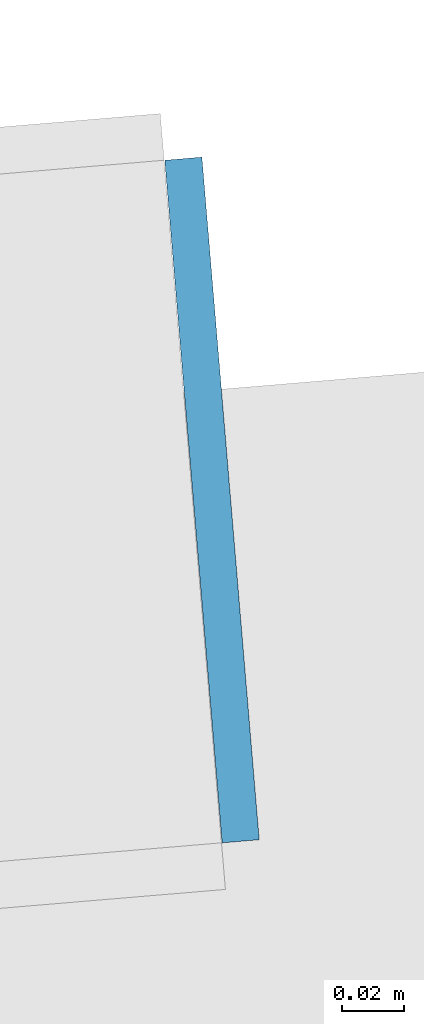
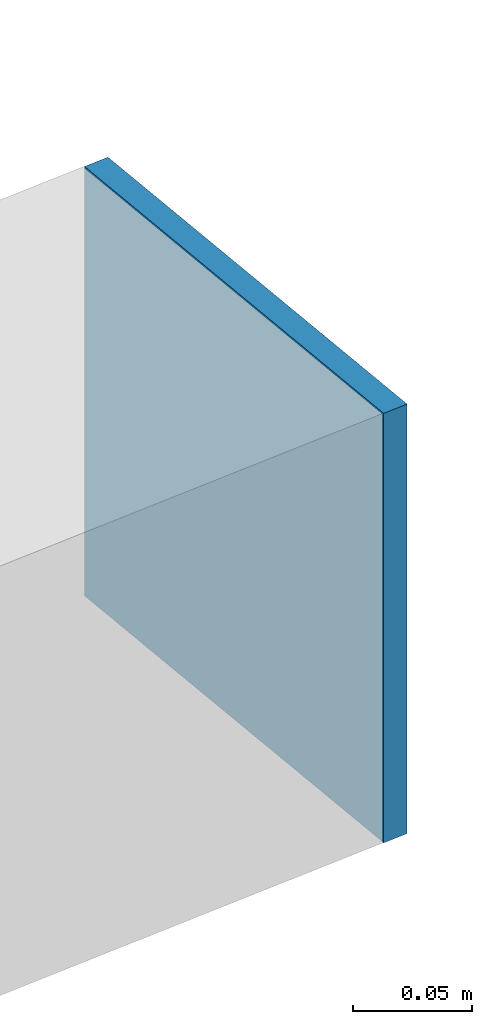
# One storey, part 41 of 46: 1 plate.
"""IFC4 building model written with IfcOpenShell, lengths in metres."""

from ifc_helpers import new_model, si_unit, direction, frame, origin, origin_2d, place, context, subcontext, project, spatial, rectangle, extrude, source, transform, mapped, material, layer, layer_set, type_object, element, save


model = new_model("IFC4")

# Units and contexts
model_context = context("Model", 3, precision=1e-05, world=origin(), true_north=direction((0.0, 1.0)))
body_context = subcontext(model_context, "Body", "Model", "MODEL_VIEW")
ifc_project = project(units=[si_unit("LENGTHUNIT", "METRE"), si_unit("AREAUNIT", "SQUARE_METRE"), si_unit("VOLUMEUNIT", "CUBIC_METRE"), si_unit("PLANEANGLEUNIT", "RADIAN"), si_unit("MASSUNIT", "GRAM", prefix="KILO")], contexts=[model_context])

# Site, building, storey
site_placement = place(None, origin())
site = spatial("IfcSite", under=ifc_project, at=site_placement, CompositionType="ELEMENT")
building_placement = place(site_placement, origin())
building = spatial("IfcBuilding", under=site, at=building_placement, Name="Taldren Reach Tower", CompositionType="ELEMENT")
storey_placement = place(building_placement, frame((0.0, 0.0, 185.14990234375)))
storey = spatial("IfcBuildingStorey", under=building, at=storey_placement, Name="L56", CompositionType="ELEMENT", Elevation=185.14990234375)

# Plate
ifc_material = material(Name="Steel Gr 450 (C450L0)", Category="steel")
ifc_layer = layer(ifc_material, 0.011962890625)
ifc_layer_set = layer_set([ifc_layer], Name="Steel Gr 450 (C450L0)")
plate_type = type_object("IfcPlateType", Name="PL-CAP-220", PredefinedType="SHEET", material=ifc_layer_set)
shared_shape = source(origin(), body_context, "Body", "SweptSolid", [
    extrude(rectangle(XDim=0.011962890625, YDim=0.219970703125, at=origin_2d()), origin(), (0.0, 0.0, 1.0), 0.219970703125),
])
plate_placement = place(storey_placement, frame((61.14697265625, 33.76220703125, 2.5400390625), z_axis=(0.0, 0.0, 1.0), x_axis=(0.99649285925, 0.083677843332, 0.0)))
element("IfcPlate", 1, at=plate_placement, inside=storey, type_object=plate_type, Name="Tie strut end cap plate B4-E3 L56", PredefinedType="SHEET", context=body_context, shape_type="MappedRepresentation", body=[
    mapped(shared_shape, transform((0.0, 0.0, 0.0), scale=1.0)),
])

save(model, "model.ifc")
